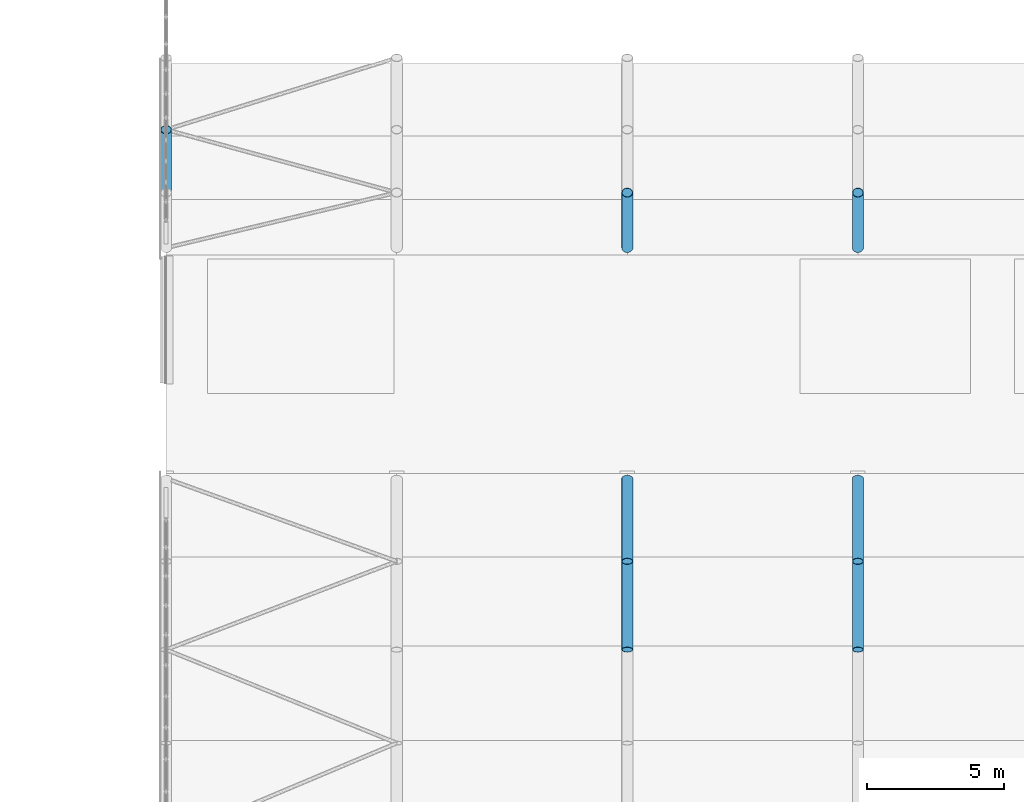
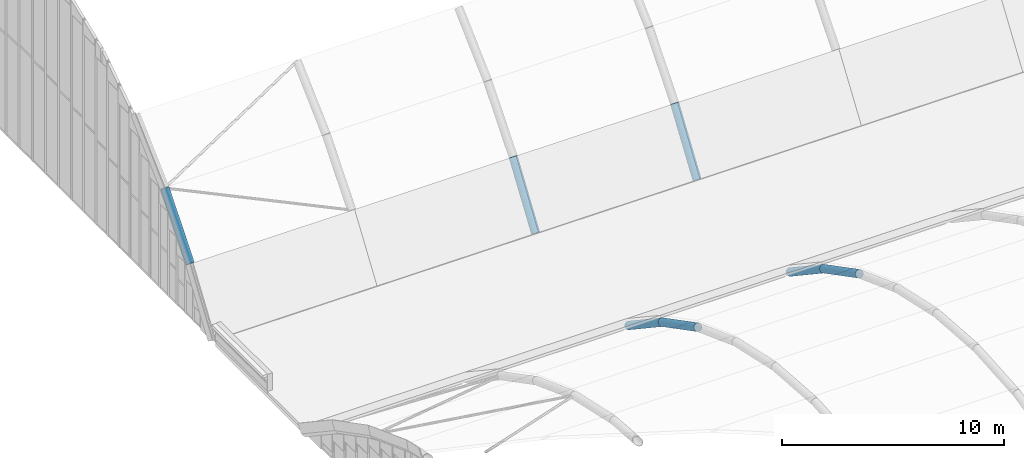
# One storey, part 14 of 77: 7 members.
"""IFC4 building model written with IfcOpenShell, lengths in metres."""

from ifc_helpers import new_model, si_unit, direction, frame, origin, origin_2d, place, context, subcontext, project, spatial, hollow_circle, extrude, material, material_profile, profile_set, type_object, element, save


model = new_model("IFC4")

# Units and contexts
model_context = context("Model", 3, precision=1e-05, world=origin(), true_north=direction((0.0, 1.0)))
body_context = subcontext(model_context, "Body", "Model", "MODEL_VIEW")
ifc_project = project(units=[si_unit("LENGTHUNIT", "METRE"), si_unit("AREAUNIT", "SQUARE_METRE"), si_unit("VOLUMEUNIT", "CUBIC_METRE"), si_unit("PLANEANGLEUNIT", "RADIAN"), si_unit("MASSUNIT", "GRAM", prefix="KILO")], contexts=[model_context])

# Site, building, storey
site_placement = place(None, origin())
site = spatial("IfcSite", under=ifc_project, at=site_placement, CompositionType="ELEMENT")
building_placement = place(site_placement, origin())
building = spatial("IfcBuilding", under=site, at=building_placement, Name="Catenary Quay Ferry Terminal", CompositionType="ELEMENT")
storey_placement = place(building_placement, frame((0.0, 0.0, 10.800048828125)))
storey = spatial("IfcBuildingStorey", under=building, at=storey_placement, Name="L02", CompositionType="ELEMENT", Elevation=10.800048828125)

# Members
ifc_material = material(Name="Steel S355", Category="steel")
ifc_material_profile = material_profile(ifc_material, hollow_circle(Radius=0.203125, WallThickness=0.01611328125, at=origin_2d()), Name="CHS 406.4x16")
ifc_profile_set = profile_set([ifc_material_profile], Name="Steel S355")
member_type = type_object("IfcMemberType", Name="VR3 CHS 406.4x16", PredefinedType="RAFTER", material=ifc_profile_set)
for number, where, z_axis, x_axis, name in (
    (1, (42.0, 94.56201171875, 3.683837890625), (0.0, 0.887609848797, -0.460596088041), (-1.0, 0.0, 0.0), "Vault rib VA-03-09"),
    (2, (42.0, 97.781982421875, 2.012939453125), (0.0, 0.831936388081, -0.554871017613), (-1.0, 0.0, 0.0), "Vault rib VA-03-10"),
    (3, (50.39990234375, 94.56201171875, 3.683837890625), (0.0, 0.887609848797, -0.460596088041), (-1.0, 0.0, 0.0), "Vault rib VA-04-09"),
    (4, (50.39990234375, 97.781982421875, 2.012939453125), (0.0, 0.831936388081, -0.554871017613), (-1.0, 0.0, 0.0), "Vault rib VA-04-10"),
):
    element("IfcMember", number, at=place(storey_placement, frame(where, z_axis=z_axis, x_axis=x_axis)), inside=storey, type_object=member_type, Name=name, PredefinedType="RAFTER", context=body_context, shape_type="SweptSolid", body=[
        extrude(hollow_circle(Radius=0.203125, WallThickness=0.01611328125, at=origin_2d()), origin(), (0.0, 0.0, 1.0), 3.627685546875),
    ])
member_placement = place(storey_placement, frame((25.199951171875, 111.215087890625, 2.970947265625), z_axis=(0.0, 0.638329973705, 0.769762849629), x_axis=(-1.0, 0.0, 0.0)))
element("IfcMember", 5, at=member_placement, inside=storey, type_object=member_type, Name="Vault rib VD-01-02", PredefinedType="RAFTER", context=body_context, shape_type="SweptSolid", body=[
    extrude(hollow_circle(Radius=0.203125, WallThickness=0.01611328125, at=origin_2d()), origin(), (0.0, 0.0, 1.0), 3.590576171875),
])
for number, where, z_axis, x_axis, name in (
    (6, (42.0, 109.199951171875, 0.0), (0.0, 0.561336762899, 0.827587480945), (-1.0, 0.0, 0.0), "Vault rib VD-03-01"),
    (7, (50.39990234375, 109.199951171875, 0.0), (0.0, 0.561336762899, 0.827587480945), (-1.0, 0.0, 0.0), "Vault rib VD-04-01"),
):
    element("IfcMember", number, at=place(storey_placement, frame(where, z_axis=z_axis, x_axis=x_axis)), inside=storey, type_object=member_type, Name=name, PredefinedType="RAFTER", context=body_context, shape_type="SweptSolid", body=[
        extrude(hollow_circle(Radius=0.203125, WallThickness=0.01611328125, at=origin_2d()), origin(), (0.0, 0.0, 1.0), 3.58984375),
    ])

save(model, "model.ifc")
